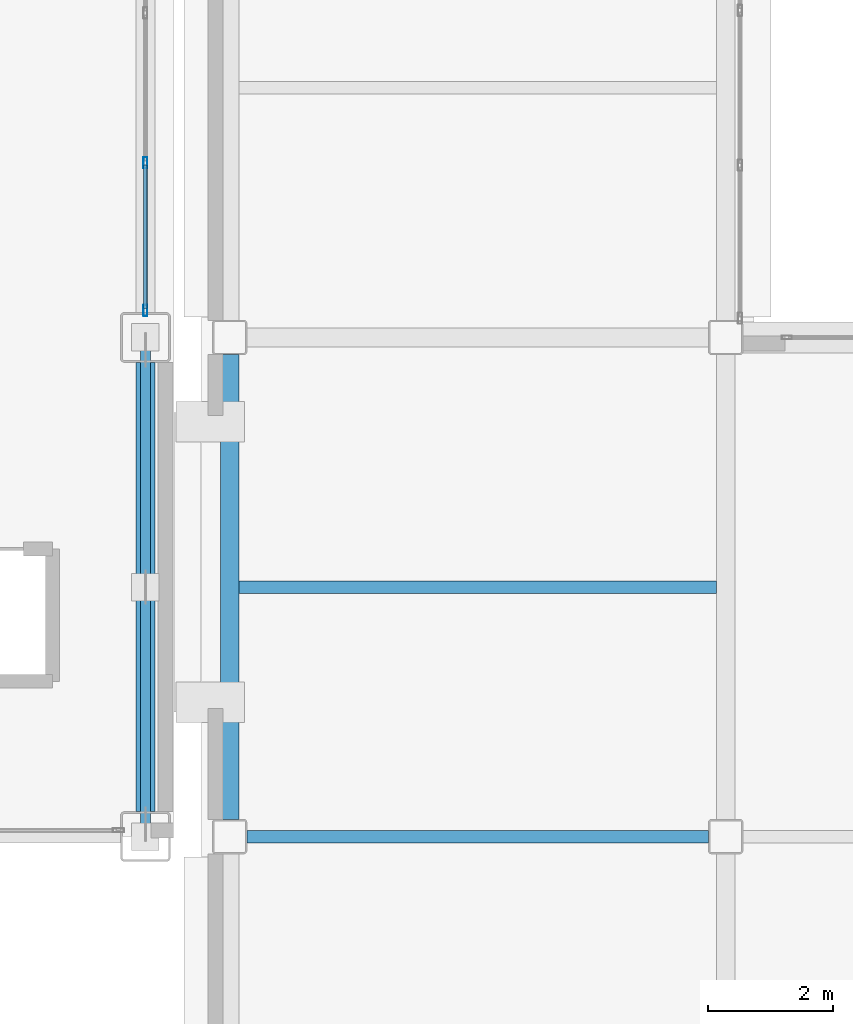
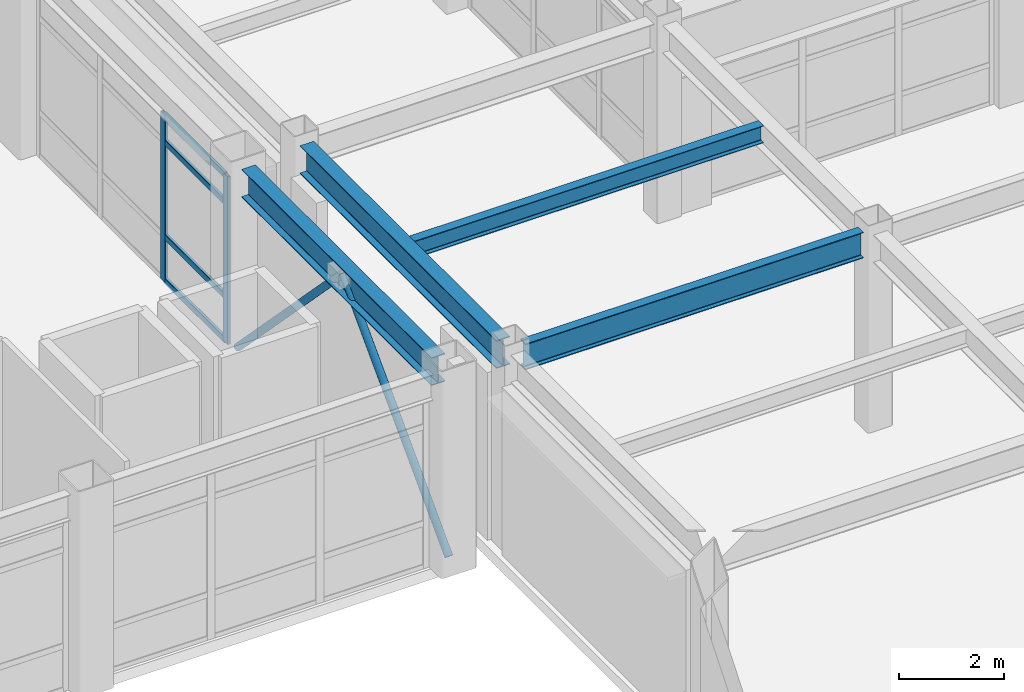
# One storey, part 35 of 154: 8 members, 4 beams, 1 element without a shape of its own.
"""IFC4 building model written with IfcOpenShell, lengths in metres."""

from ifc_helpers import new_model, si_unit, direction, frame, origin, origin_2d, place, context, subcontext, project, spatial, hollow_rectangle, hollow_circle, i_section, extrude, material, layer, layer_set, material_profile, profile_set, type_object, element, aggregate, save


model = new_model("IFC4")

# Units and contexts
model_context = context("Model", 3, precision=1e-05, world=origin(), true_north=direction((0.0, 1.0)))
body_context = subcontext(model_context, "Body", "Model", "MODEL_VIEW")
ifc_project = project(units=[si_unit("LENGTHUNIT", "METRE"), si_unit("AREAUNIT", "SQUARE_METRE"), si_unit("VOLUMEUNIT", "CUBIC_METRE"), si_unit("PLANEANGLEUNIT", "RADIAN"), si_unit("MASSUNIT", "GRAM", prefix="KILO")], contexts=[model_context])

# Site, building, storey
site_placement = place(None, origin())
site = spatial("IfcSite", under=ifc_project, at=site_placement, CompositionType="ELEMENT")
building_placement = place(site_placement, origin())
building = spatial("IfcBuilding", under=site, at=building_placement, Name="Kazehara Bluff Congress Hotel", CompositionType="ELEMENT")
storey_placement = place(building_placement, frame((0.0, 0.0, 10.199951171875)))
storey = spatial("IfcBuildingStorey", under=building, at=storey_placement, Name="L02", CompositionType="ELEMENT", Elevation=10.199951171875)

# Members
ifc_material_1 = material(Name="Steel STK490", Category="steel")
ifc_material_profile_1 = material_profile(ifc_material_1, hollow_circle(Radius=0.08251953125, WallThickness=0.007080078125, at=origin_2d()))
ifc_profile_set_1 = profile_set([ifc_material_profile_1], Name="Steel STK490")
member_type_1 = type_object("IfcMemberType", Name="TP-BR-02", PredefinedType="BRACE", material=ifc_profile_set_1)
for number, where, z_axis, x_axis, name in (
    (1, (58.35009765625, 48.449951171875, 0.150146484375), (0.0, 0.695275793679, 0.718743049166), (-1.0, 0.0, 0.0), "L02 chevron brace BR-02 9"),
    (2, (58.35009765625, 56.449951171875, 0.150146484375), (0.0, -0.695275793679, 0.718743049166), (1.0, 0.0, 0.0), "L02 chevron brace BR-02 10"),
):
    element("IfcMember", number, at=place(storey_placement, frame(where, z_axis=z_axis, x_axis=x_axis)), inside=storey, type_object=member_type_1, Name=name, PredefinedType="BRACE", context=body_context, shape_type="SweptSolid", body=[
        extrude(hollow_circle(Radius=0.08251953125, WallThickness=0.007080078125, at=origin_2d()), origin(), (0.0, 0.0, 1.0), 5.753173828125),
    ])

# Curtain wall, members
ifc_material_2 = material(Name="Anodised aluminium", Category="aluminium")
ifc_layer = layer(ifc_material_2, 0.159912109375)
ifc_layer_set = layer_set([ifc_layer], Name="Anodised aluminium")
curtain_wall_type = type_object("IfcCurtainWallType", Name="TP-CW-23", PredefinedType="NOTDEFINED", material=ifc_layer_set)
curtain_wall_placement = place(storey_placement, origin())
curtain_wall = element("IfcCurtainWall", 3, at=curtain_wall_placement, inside=storey, type_object=curtain_wall_type, Name="L02 curtain wall CW-23 CW-V1-L02-X5835-5685", PredefinedType="NOTDEFINED")
ifc_material_3 = material(Name="Anodised aluminium", Category="aluminium")
ifc_material_profile_2 = material_profile(ifc_material_3, hollow_rectangle(XDim=0.06494140625, YDim=0.179931640625, WallThickness=0.00390625, InnerFilletRadius=0.00390625, OuterFilletRadius=0.008056640625, at=origin_2d()))
ifc_profile_set_2 = profile_set([ifc_material_profile_2], Name="Anodised aluminium")
member_type_2 = type_object("IfcMemberType", Name="TP-CWM-02", PredefinedType="MULLION", material=ifc_profile_set_2)
member_1_placement = place(storey_placement, frame((58.35009765625, 56.882568359375, 0.0), z_axis=(0.0, 0.0, 1.0), x_axis=(-1.0, 0.0, 0.0)))
member_1 = element("IfcMember", 4, at=member_1_placement, type_object=member_type_2, Name="CW-23 mullion 1", PredefinedType="MULLION", context=body_context, shape_type="SweptSolid", body=[
    extrude(hollow_rectangle(XDim=0.06494140625, YDim=0.179931640625, WallThickness=0.00390625, InnerFilletRadius=0.00390625, OuterFilletRadius=0.008056640625, at=origin_2d()), origin(), (0.0, 0.0, 1.0), 3.885009765625),
])
member_2_placement = place(storey_placement, frame((58.35009765625, 59.25, 0.0), z_axis=(0.0, 0.0, 1.0), x_axis=(-1.0, 0.0, 0.0)))
member_2 = element("IfcMember", 5, at=member_2_placement, type_object=member_type_2, Name="CW-23 mullion 2", PredefinedType="MULLION", context=body_context, shape_type="SweptSolid", body=[
    extrude(hollow_rectangle(XDim=0.06494140625, YDim=0.179931640625, WallThickness=0.00390625, InnerFilletRadius=0.00390625, OuterFilletRadius=0.008056640625, at=origin_2d()), origin(), (0.0, 0.0, 1.0), 3.885009765625),
])
ifc_material_4 = material(Name="Anodised aluminium", Category="aluminium")
ifc_material_profile_3 = material_profile(ifc_material_4, hollow_rectangle(XDim=0.06494140625, YDim=0.139892578125, WallThickness=0.00390625, InnerFilletRadius=0.00390625, OuterFilletRadius=0.008056640625, at=origin_2d()))
ifc_profile_set_3 = profile_set([ifc_material_profile_3], Name="Anodised aluminium")
member_type_3 = type_object("IfcMemberType", Name="TP-CWT-02", PredefinedType="USERDEFINED", material=ifc_profile_set_3)
member_3_placement = place(storey_placement, frame((58.35009765625, 56.9150390625, 0.032470703125), z_axis=(0.0, 1.0, 0.0), x_axis=(-1.0, 0.0, 0.0)))
member_3 = element("IfcMember", 6, at=member_3_placement, type_object=member_type_3, Name="CW-23 transom 1.1", ObjectType="TRANSOM", PredefinedType="USERDEFINED", context=body_context, shape_type="SweptSolid", body=[
    extrude(hollow_rectangle(XDim=0.06494140625, YDim=0.139892578125, WallThickness=0.00390625, InnerFilletRadius=0.00390625, OuterFilletRadius=0.008056640625, at=origin_2d()), origin(), (0.0, 0.0, 1.0), 2.302490234375),
])
member_4_placement = place(storey_placement, frame((58.35009765625, 56.9150390625, 1.050048828125), z_axis=(0.0, 1.0, 0.0), x_axis=(-1.0, 0.0, 0.0)))
member_4 = element("IfcMember", 7, at=member_4_placement, type_object=member_type_3, Name="CW-23 transom 1.2", ObjectType="TRANSOM", PredefinedType="USERDEFINED", context=body_context, shape_type="SweptSolid", body=[
    extrude(hollow_rectangle(XDim=0.06494140625, YDim=0.139892578125, WallThickness=0.00390625, InnerFilletRadius=0.00390625, OuterFilletRadius=0.008056640625, at=origin_2d()), origin(), (0.0, 0.0, 1.0), 2.302490234375),
])
member_5_placement = place(storey_placement, frame((58.35009765625, 56.9150390625, 3.235107421875), z_axis=(0.0, 1.0, 0.0), x_axis=(-1.0, 0.0, 0.0)))
member_5 = element("IfcMember", 8, at=member_5_placement, type_object=member_type_3, Name="CW-23 transom 1.3", ObjectType="TRANSOM", PredefinedType="USERDEFINED", context=body_context, shape_type="SweptSolid", body=[
    extrude(hollow_rectangle(XDim=0.06494140625, YDim=0.139892578125, WallThickness=0.00390625, InnerFilletRadius=0.00390625, OuterFilletRadius=0.008056640625, at=origin_2d()), origin(), (0.0, 0.0, 1.0), 2.302490234375),
])
member_6_placement = place(storey_placement, frame((58.35009765625, 56.9150390625, 3.8525390625), z_axis=(0.0, 1.0, 0.0), x_axis=(-1.0, 0.0, 0.0)))
member_6 = element("IfcMember", 9, at=member_6_placement, type_object=member_type_3, Name="CW-23 transom 1.4", ObjectType="TRANSOM", PredefinedType="USERDEFINED", context=body_context, shape_type="SweptSolid", body=[
    extrude(hollow_rectangle(XDim=0.06494140625, YDim=0.139892578125, WallThickness=0.00390625, InnerFilletRadius=0.00390625, OuterFilletRadius=0.008056640625, at=origin_2d()), origin(), (0.0, 0.0, 1.0), 2.302490234375),
])
aggregate(curtain_wall, [member_1, member_2, member_3, member_4, member_5, member_6])

# Beams
ifc_material_5 = material(Name="Steel SN490B", Category="steel")
ifc_material_profile_4 = material_profile(ifc_material_5, i_section(OverallWidth=0.300048828125, OverallDepth=0.64990234375, WebThickness=0.011962890625, FlangeThickness=0.02001953125, FilletRadius=0.012939453125, at=origin_2d()))
ifc_profile_set_4 = profile_set([ifc_material_profile_4], Name="Steel SN490B")
beam_type_1 = type_object("IfcBeamType", Name="TP-G-03", PredefinedType="BEAM", material=ifc_profile_set_4)
beam_1_placement = place(storey_placement, frame((58.35009765625, 48.85009765625, 4.235107421875), z_axis=(0.0, 1.0, 0.0), x_axis=(-1.0, 0.0, 0.0)))
element("IfcBeam", 10, at=beam_1_placement, inside=storey, type_object=beam_type_1, Name="L02 girder G-03 17", PredefinedType="BEAM", context=body_context, shape_type="SweptSolid", body=[
    extrude(i_section(OverallWidth=0.300048828125, OverallDepth=0.64990234375, WebThickness=0.011962890625, FlangeThickness=0.02001953125, FilletRadius=0.012939453125, at=origin_2d()), origin(), (0.0, 0.0, 1.0), 7.199951171875),
])
beam_2_placement = place(storey_placement, frame((59.699951171875, 48.72509765625, 4.235107421875), z_axis=(0.0, 1.0, 0.0), x_axis=(-1.0, 0.0, 0.0)))
element("IfcBeam", 11, at=beam_2_placement, inside=storey, type_object=beam_type_1, Name="L02 girder G-03 61", PredefinedType="BEAM", context=body_context, shape_type="SweptSolid", body=[
    extrude(i_section(OverallWidth=0.300048828125, OverallDepth=0.64990234375, WebThickness=0.011962890625, FlangeThickness=0.02001953125, FilletRadius=0.012939453125, at=origin_2d()), origin(), (0.0, 0.0, 1.0), 7.449951171875),
])
ifc_material_6 = material(Name="Steel SN400B", Category="steel")
ifc_material_profile_5 = material_profile(ifc_material_6, i_section(OverallWidth=0.199951171875, OverallDepth=0.39990234375, WebThickness=0.008056640625, FlangeThickness=0.012939453125, FilletRadius=0.012939453125, at=origin_2d()))
ifc_profile_set_5 = profile_set([ifc_material_profile_5], Name="Steel SN400B")
beam_type_2 = type_object("IfcBeamType", Name="TP-J-03", PredefinedType="JOIST", material=ifc_profile_set_5)
beam_3_placement = place(storey_placement, frame((59.85009765625, 52.449951171875, 4.360107421875), z_axis=(1.0, 0.0, 0.0), x_axis=(0.0, 1.0, 0.0)))
element("IfcBeam", 12, at=beam_3_placement, inside=storey, type_object=beam_type_2, Name="L02 secondary joist J-03 8", PredefinedType="JOIST", context=body_context, shape_type="SweptSolid", body=[
    extrude(i_section(OverallWidth=0.199951171875, OverallDepth=0.39990234375, WebThickness=0.008056640625, FlangeThickness=0.012939453125, FilletRadius=0.012939453125, at=origin_2d()), origin(), (0.0, 0.0, 1.0), 7.64990234375),
])
ifc_material_7 = material(Name="Steel SN490B", Category="steel")
ifc_material_profile_6 = material_profile(ifc_material_7, i_section(OverallWidth=0.199951171875, OverallDepth=0.60009765625, WebThickness=0.010986328125, FlangeThickness=0.01708984375, FilletRadius=0.012939453125, at=origin_2d()))
ifc_profile_set_6 = profile_set([ifc_material_profile_6], Name="Steel SN490B")
beam_type_3 = type_object("IfcBeamType", Name="TP-SP-02", PredefinedType="SPANDREL", material=ifc_profile_set_6)
beam_4_placement = place(storey_placement, frame((59.97509765625, 48.449951171875, 4.260009765625), z_axis=(1.0, 0.0, 0.0), x_axis=(0.0, 1.0, 0.0)))
element("IfcBeam", 13, at=beam_4_placement, inside=storey, type_object=beam_type_3, Name="L02 girder SP-02 118", PredefinedType="SPANDREL", context=body_context, shape_type="SweptSolid", body=[
    extrude(i_section(OverallWidth=0.199951171875, OverallDepth=0.60009765625, WebThickness=0.010986328125, FlangeThickness=0.01708984375, FilletRadius=0.012939453125, at=origin_2d()), origin(), (0.0, 0.0, 1.0), 7.39990234375),
])

save(model, "model.ifc")
